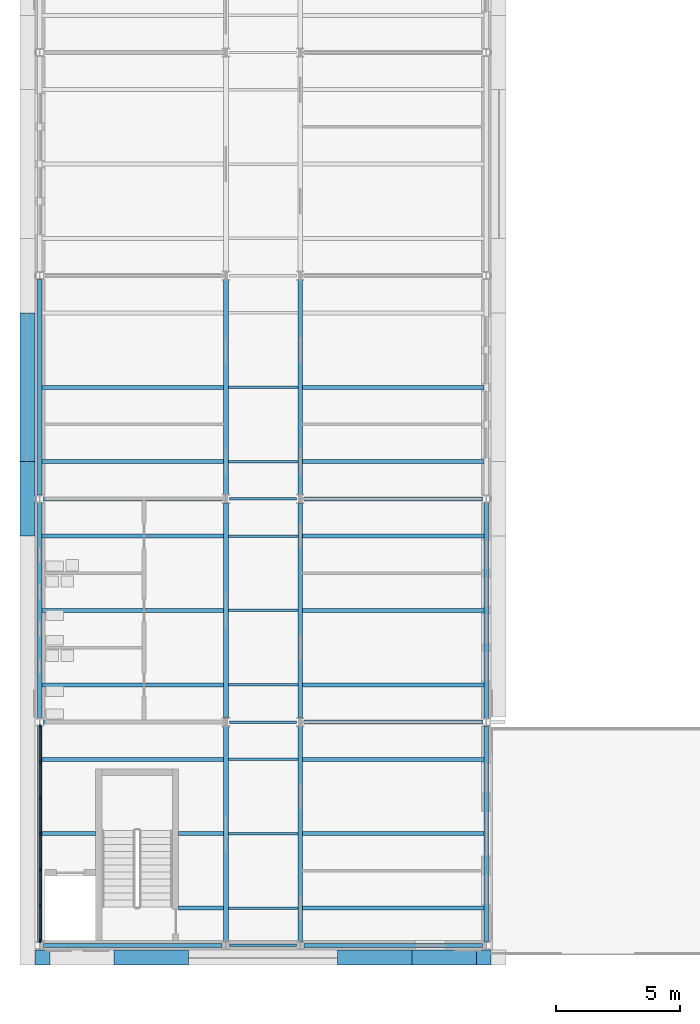
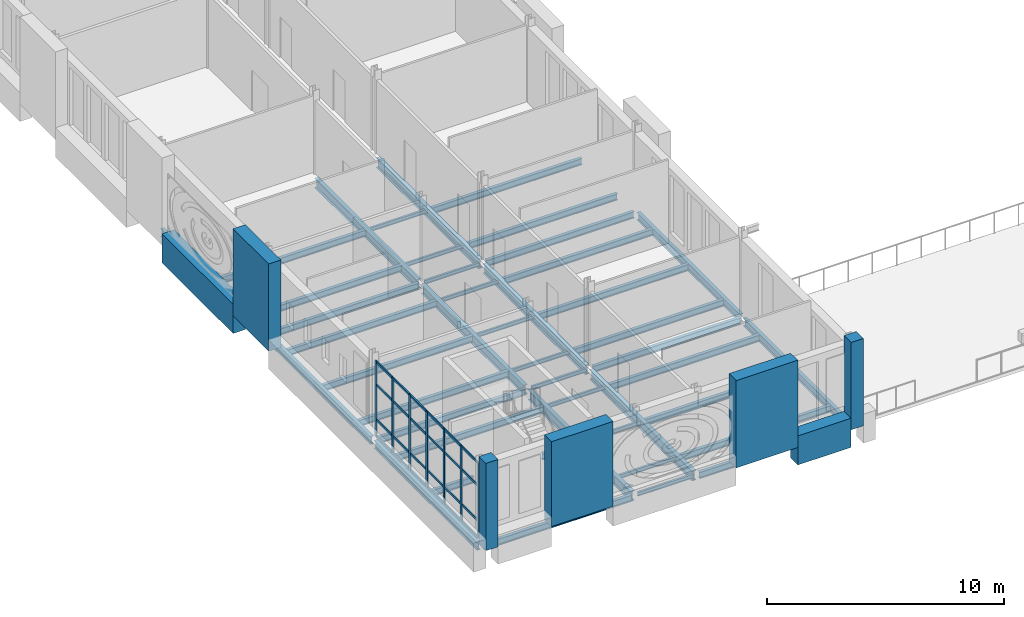
# One storey, part 20 of 134: 47 beams, 36 members, 1 element without a shape of its own.
"""IFC4 building model written with IfcOpenShell, lengths in metres."""

from ifc_helpers import new_model, si_unit, direction, frame, origin, origin_2d, place, context, subcontext, project, spatial, rectangle, i_section, extrude, material, layer, layer_set, material_profile, profile_set, type_object, element, aggregate, save


model = new_model("IFC4")

# Units and contexts
model_context = context("Model", 3, precision=1e-05, world=origin(), true_north=direction((0.0, 1.0)))
body_context = subcontext(model_context, "Body", "Model", "MODEL_VIEW")
ifc_project = project(units=[si_unit("LENGTHUNIT", "METRE"), si_unit("AREAUNIT", "SQUARE_METRE"), si_unit("VOLUMEUNIT", "CUBIC_METRE"), si_unit("PLANEANGLEUNIT", "RADIAN"), si_unit("MASSUNIT", "GRAM", prefix="KILO")], contexts=[model_context])

# Site, building, storey
site_placement = place(None, origin())
site = spatial("IfcSite", under=ifc_project, at=site_placement, CompositionType="ELEMENT")
building_placement = place(site_placement, origin())
building = spatial("IfcBuilding", under=site, at=building_placement, Name="Golden Quay Civic Hall", CompositionType="ELEMENT")
storey_placement = place(building_placement, frame((0.0, 0.0, 5.39990234375)))
storey = spatial("IfcBuildingStorey", under=building, at=storey_placement, Name="L01", CompositionType="ELEMENT", Elevation=5.39990234375)

# Curtain wall, members
ifc_material_1 = material(Name="Glass, laminated double glazed", Category="glass")
ifc_layer = layer(ifc_material_1, 0.199951171875)
ifc_layer_set = layer_set([ifc_layer], Name="Glazed core strip curtain wall")
curtain_wall_type = type_object("IfcCurtainWallType", Name="Glazed core strip curtain wall", PredefinedType="NOTDEFINED", material=ifc_layer_set)
curtain_wall_placement = place(storey_placement, origin())
curtain_wall = element("IfcCurtainWall", 1, at=curtain_wall_placement, inside=storey, type_object=curtain_wall_type, Name="Glazed core strip curtain wall L01 1", PredefinedType="NOTDEFINED")
ifc_material_2 = material(Name="Aluminium, anodised", Category="aluminium")
ifc_material_profile_1 = material_profile(ifc_material_2, rectangle(XDim=0.06005859375, YDim=0.159912109375, at=origin_2d()), Name="Aluminium 60 x 160")
ifc_profile_set_1 = profile_set([ifc_material_profile_1], Name="Aluminium, anodised")
member_type_1 = type_object("IfcMemberType", Name="Aluminium mullion 60 x 160", PredefinedType="MULLION", material=ifc_profile_set_1)
member_1_placement = place(storey_placement, frame((0.0, -8.820068359375, 0.0), z_axis=(0.0, 0.0, 1.0), x_axis=(-1.0, 0.0, 0.0)))
member_1 = element("IfcMember", 2, at=member_1_placement, type_object=member_type_1, Name="CW2 mullion 1", PredefinedType="MULLION", context=body_context, shape_type="SweptSolid", body=[
    extrude(rectangle(XDim=0.06005859375, YDim=0.159912109375, at=origin_2d()), origin(), (0.0, 0.0, 1.0), 3.900146484375),
])
member_2_placement = place(storey_placement, frame((0.0, -7.39990234375, 0.0), z_axis=(0.0, 0.0, 1.0), x_axis=(-1.0, 0.0, 0.0)))
member_2 = element("IfcMember", 3, at=member_2_placement, type_object=member_type_1, Name="CW2 mullion 2", PredefinedType="MULLION", context=body_context, shape_type="SweptSolid", body=[
    extrude(rectangle(XDim=0.06005859375, YDim=0.159912109375, at=origin_2d()), origin(), (0.0, 0.0, 1.0), 3.900146484375),
])
member_3_placement = place(storey_placement, frame((0.0, -5.949951171875, 0.0), z_axis=(0.0, 0.0, 1.0), x_axis=(-1.0, 0.0, 0.0)))
member_3 = element("IfcMember", 4, at=member_3_placement, type_object=member_type_1, Name="CW2 mullion 3", PredefinedType="MULLION", context=body_context, shape_type="SweptSolid", body=[
    extrude(rectangle(XDim=0.06005859375, YDim=0.159912109375, at=origin_2d()), origin(), (0.0, 0.0, 1.0), 3.900146484375),
])
member_4_placement = place(storey_placement, frame((0.0, -4.5, 0.0), z_axis=(0.0, 0.0, 1.0), x_axis=(-1.0, 0.0, 0.0)))
member_4 = element("IfcMember", 5, at=member_4_placement, type_object=member_type_1, Name="CW2 mullion 4", PredefinedType="MULLION", context=body_context, shape_type="SweptSolid", body=[
    extrude(rectangle(XDim=0.06005859375, YDim=0.159912109375, at=origin_2d()), origin(), (0.0, 0.0, 1.0), 3.900146484375),
])
member_5_placement = place(storey_placement, frame((0.0, -3.050048828125, 0.0), z_axis=(0.0, 0.0, 1.0), x_axis=(-1.0, 0.0, 0.0)))
member_5 = element("IfcMember", 6, at=member_5_placement, type_object=member_type_1, Name="CW2 mullion 5", PredefinedType="MULLION", context=body_context, shape_type="SweptSolid", body=[
    extrude(rectangle(XDim=0.06005859375, YDim=0.159912109375, at=origin_2d()), origin(), (0.0, 0.0, 1.0), 3.900146484375),
])
member_6_placement = place(storey_placement, frame((0.0, -1.60009765625, 0.0), z_axis=(0.0, 0.0, 1.0), x_axis=(-1.0, 0.0, 0.0)))
member_6 = element("IfcMember", 7, at=member_6_placement, type_object=member_type_1, Name="CW2 mullion 6", PredefinedType="MULLION", context=body_context, shape_type="SweptSolid", body=[
    extrude(rectangle(XDim=0.06005859375, YDim=0.159912109375, at=origin_2d()), origin(), (0.0, 0.0, 1.0), 3.900146484375),
])
member_7_placement = place(storey_placement, frame((0.0, -0.179931640625, 0.0), z_axis=(0.0, 0.0, 1.0), x_axis=(-1.0, 0.0, 0.0)))
member_7 = element("IfcMember", 8, at=member_7_placement, type_object=member_type_1, Name="CW2 mullion 7", PredefinedType="MULLION", context=body_context, shape_type="SweptSolid", body=[
    extrude(rectangle(XDim=0.06005859375, YDim=0.159912109375, at=origin_2d()), origin(), (0.0, 0.0, 1.0), 3.900146484375),
])
ifc_material_3 = material(Name="Aluminium, anodised", Category="aluminium")
ifc_material_profile_2 = material_profile(ifc_material_3, rectangle(XDim=0.06005859375, YDim=0.1201171875, at=origin_2d()), Name="Aluminium 60 x 120")
ifc_profile_set_2 = profile_set([ifc_material_profile_2], Name="Aluminium, anodised")
member_type_2 = type_object("IfcMemberType", Name="Aluminium transom 60 x 120", PredefinedType="USERDEFINED", material=ifc_profile_set_2)
member_8_placement = place(storey_placement, frame((0.0, -8.7900390625, 0.030029296875), z_axis=(0.0, 1.0, 0.0), x_axis=(-1.0, 0.0, 0.0)))
member_8 = element("IfcMember", 9, at=member_8_placement, type_object=member_type_2, Name="CW2 transom 1.1", ObjectType="TRANSOM", PredefinedType="USERDEFINED", context=body_context, shape_type="SweptSolid", body=[
    extrude(rectangle(XDim=0.06005859375, YDim=0.1201171875, at=origin_2d()), origin(), (0.0, 0.0, 1.0), 1.360107421875),
])
member_9_placement = place(storey_placement, frame((0.0, -8.7900390625, 0.900146484375), z_axis=(0.0, 1.0, 0.0), x_axis=(-1.0, 0.0, 0.0)))
member_9 = element("IfcMember", 10, at=member_9_placement, type_object=member_type_2, Name="CW2 transom 1.2", ObjectType="TRANSOM", PredefinedType="USERDEFINED", context=body_context, shape_type="SweptSolid", body=[
    extrude(rectangle(XDim=0.06005859375, YDim=0.1201171875, at=origin_2d()), origin(), (0.0, 0.0, 1.0), 1.360107421875),
])
member_10_placement = place(storey_placement, frame((0.0, -8.7900390625, 2.7001953125), z_axis=(0.0, 1.0, 0.0), x_axis=(-1.0, 0.0, 0.0)))
member_10 = element("IfcMember", 11, at=member_10_placement, type_object=member_type_2, Name="CW2 transom 1.3", ObjectType="TRANSOM", PredefinedType="USERDEFINED", context=body_context, shape_type="SweptSolid", body=[
    extrude(rectangle(XDim=0.06005859375, YDim=0.1201171875, at=origin_2d()), origin(), (0.0, 0.0, 1.0), 1.360107421875),
])
member_11_placement = place(storey_placement, frame((0.0, -8.7900390625, 3.8701171875), z_axis=(0.0, 1.0, 0.0), x_axis=(-1.0, 0.0, 0.0)))
member_11 = element("IfcMember", 12, at=member_11_placement, type_object=member_type_2, Name="CW2 transom 1.4", ObjectType="TRANSOM", PredefinedType="USERDEFINED", context=body_context, shape_type="SweptSolid", body=[
    extrude(rectangle(XDim=0.06005859375, YDim=0.1201171875, at=origin_2d()), origin(), (0.0, 0.0, 1.0), 1.360107421875),
])
member_12_placement = place(storey_placement, frame((0.0, -7.3701171875, 0.030029296875), z_axis=(0.0, 1.0, 0.0), x_axis=(-1.0, 0.0, 0.0)))
member_12 = element("IfcMember", 13, at=member_12_placement, type_object=member_type_2, Name="CW2 transom 2.1", ObjectType="TRANSOM", PredefinedType="USERDEFINED", context=body_context, shape_type="SweptSolid", body=[
    extrude(rectangle(XDim=0.06005859375, YDim=0.1201171875, at=origin_2d()), origin(), (0.0, 0.0, 1.0), 1.39013671875),
])
member_13_placement = place(storey_placement, frame((0.0, -7.3701171875, 0.900146484375), z_axis=(0.0, 1.0, 0.0), x_axis=(-1.0, 0.0, 0.0)))
member_13 = element("IfcMember", 14, at=member_13_placement, type_object=member_type_2, Name="CW2 transom 2.2", ObjectType="TRANSOM", PredefinedType="USERDEFINED", context=body_context, shape_type="SweptSolid", body=[
    extrude(rectangle(XDim=0.06005859375, YDim=0.1201171875, at=origin_2d()), origin(), (0.0, 0.0, 1.0), 1.39013671875),
])
member_14_placement = place(storey_placement, frame((0.0, -7.3701171875, 2.7001953125), z_axis=(0.0, 1.0, 0.0), x_axis=(-1.0, 0.0, 0.0)))
member_14 = element("IfcMember", 15, at=member_14_placement, type_object=member_type_2, Name="CW2 transom 2.3", ObjectType="TRANSOM", PredefinedType="USERDEFINED", context=body_context, shape_type="SweptSolid", body=[
    extrude(rectangle(XDim=0.06005859375, YDim=0.1201171875, at=origin_2d()), origin(), (0.0, 0.0, 1.0), 1.39013671875),
])
member_15_placement = place(storey_placement, frame((0.0, -7.3701171875, 3.8701171875), z_axis=(0.0, 1.0, 0.0), x_axis=(-1.0, 0.0, 0.0)))
member_15 = element("IfcMember", 16, at=member_15_placement, type_object=member_type_2, Name="CW2 transom 2.4", ObjectType="TRANSOM", PredefinedType="USERDEFINED", context=body_context, shape_type="SweptSolid", body=[
    extrude(rectangle(XDim=0.06005859375, YDim=0.1201171875, at=origin_2d()), origin(), (0.0, 0.0, 1.0), 1.39013671875),
])
member_16_placement = place(storey_placement, frame((0.0, -5.919921875, 0.030029296875), z_axis=(0.0, 1.0, 0.0), x_axis=(-1.0, 0.0, 0.0)))
member_16 = element("IfcMember", 17, at=member_16_placement, type_object=member_type_2, Name="CW2 transom 3.1", ObjectType="TRANSOM", PredefinedType="USERDEFINED", context=body_context, shape_type="SweptSolid", body=[
    extrude(rectangle(XDim=0.06005859375, YDim=0.1201171875, at=origin_2d()), origin(), (0.0, 0.0, 1.0), 1.389892578125),
])
member_17_placement = place(storey_placement, frame((0.0, -5.919921875, 0.900146484375), z_axis=(0.0, 1.0, 0.0), x_axis=(-1.0, 0.0, 0.0)))
member_17 = element("IfcMember", 18, at=member_17_placement, type_object=member_type_2, Name="CW2 transom 3.2", ObjectType="TRANSOM", PredefinedType="USERDEFINED", context=body_context, shape_type="SweptSolid", body=[
    extrude(rectangle(XDim=0.06005859375, YDim=0.1201171875, at=origin_2d()), origin(), (0.0, 0.0, 1.0), 1.389892578125),
])
member_18_placement = place(storey_placement, frame((0.0, -5.919921875, 2.7001953125), z_axis=(0.0, 1.0, 0.0), x_axis=(-1.0, 0.0, 0.0)))
member_18 = element("IfcMember", 19, at=member_18_placement, type_object=member_type_2, Name="CW2 transom 3.3", ObjectType="TRANSOM", PredefinedType="USERDEFINED", context=body_context, shape_type="SweptSolid", body=[
    extrude(rectangle(XDim=0.06005859375, YDim=0.1201171875, at=origin_2d()), origin(), (0.0, 0.0, 1.0), 1.389892578125),
])
member_19_placement = place(storey_placement, frame((0.0, -5.919921875, 3.8701171875), z_axis=(0.0, 1.0, 0.0), x_axis=(-1.0, 0.0, 0.0)))
member_19 = element("IfcMember", 20, at=member_19_placement, type_object=member_type_2, Name="CW2 transom 3.4", ObjectType="TRANSOM", PredefinedType="USERDEFINED", context=body_context, shape_type="SweptSolid", body=[
    extrude(rectangle(XDim=0.06005859375, YDim=0.1201171875, at=origin_2d()), origin(), (0.0, 0.0, 1.0), 1.389892578125),
])
member_20_placement = place(storey_placement, frame((0.0, -4.469970703125, 0.030029296875), z_axis=(0.0, 1.0, 0.0), x_axis=(-1.0, 0.0, 0.0)))
member_20 = element("IfcMember", 21, at=member_20_placement, type_object=member_type_2, Name="CW2 transom 4.1", ObjectType="TRANSOM", PredefinedType="USERDEFINED", context=body_context, shape_type="SweptSolid", body=[
    extrude(rectangle(XDim=0.06005859375, YDim=0.1201171875, at=origin_2d()), origin(), (0.0, 0.0, 1.0), 1.389892578125),
])
member_21_placement = place(storey_placement, frame((0.0, -4.469970703125, 0.900146484375), z_axis=(0.0, 1.0, 0.0), x_axis=(-1.0, 0.0, 0.0)))
member_21 = element("IfcMember", 22, at=member_21_placement, type_object=member_type_2, Name="CW2 transom 4.2", ObjectType="TRANSOM", PredefinedType="USERDEFINED", context=body_context, shape_type="SweptSolid", body=[
    extrude(rectangle(XDim=0.06005859375, YDim=0.1201171875, at=origin_2d()), origin(), (0.0, 0.0, 1.0), 1.389892578125),
])
member_22_placement = place(storey_placement, frame((0.0, -4.469970703125, 2.7001953125), z_axis=(0.0, 1.0, 0.0), x_axis=(-1.0, 0.0, 0.0)))
member_22 = element("IfcMember", 23, at=member_22_placement, type_object=member_type_2, Name="CW2 transom 4.3", ObjectType="TRANSOM", PredefinedType="USERDEFINED", context=body_context, shape_type="SweptSolid", body=[
    extrude(rectangle(XDim=0.06005859375, YDim=0.1201171875, at=origin_2d()), origin(), (0.0, 0.0, 1.0), 1.389892578125),
])
member_23_placement = place(storey_placement, frame((0.0, -4.469970703125, 3.8701171875), z_axis=(0.0, 1.0, 0.0), x_axis=(-1.0, 0.0, 0.0)))
member_23 = element("IfcMember", 24, at=member_23_placement, type_object=member_type_2, Name="CW2 transom 4.4", ObjectType="TRANSOM", PredefinedType="USERDEFINED", context=body_context, shape_type="SweptSolid", body=[
    extrude(rectangle(XDim=0.06005859375, YDim=0.1201171875, at=origin_2d()), origin(), (0.0, 0.0, 1.0), 1.389892578125),
])
member_24_placement = place(storey_placement, frame((0.0, -3.02001953125, 0.030029296875), z_axis=(0.0, 1.0, 0.0), x_axis=(-1.0, 0.0, 0.0)))
member_24 = element("IfcMember", 25, at=member_24_placement, type_object=member_type_2, Name="CW2 transom 5.1", ObjectType="TRANSOM", PredefinedType="USERDEFINED", context=body_context, shape_type="SweptSolid", body=[
    extrude(rectangle(XDim=0.06005859375, YDim=0.1201171875, at=origin_2d()), origin(), (0.0, 0.0, 1.0), 1.39013671875),
])
member_25_placement = place(storey_placement, frame((0.0, -3.02001953125, 0.900146484375), z_axis=(0.0, 1.0, 0.0), x_axis=(-1.0, 0.0, 0.0)))
member_25 = element("IfcMember", 26, at=member_25_placement, type_object=member_type_2, Name="CW2 transom 5.2", ObjectType="TRANSOM", PredefinedType="USERDEFINED", context=body_context, shape_type="SweptSolid", body=[
    extrude(rectangle(XDim=0.06005859375, YDim=0.1201171875, at=origin_2d()), origin(), (0.0, 0.0, 1.0), 1.39013671875),
])
member_26_placement = place(storey_placement, frame((0.0, -3.02001953125, 2.7001953125), z_axis=(0.0, 1.0, 0.0), x_axis=(-1.0, 0.0, 0.0)))
member_26 = element("IfcMember", 27, at=member_26_placement, type_object=member_type_2, Name="CW2 transom 5.3", ObjectType="TRANSOM", PredefinedType="USERDEFINED", context=body_context, shape_type="SweptSolid", body=[
    extrude(rectangle(XDim=0.06005859375, YDim=0.1201171875, at=origin_2d()), origin(), (0.0, 0.0, 1.0), 1.39013671875),
])
member_27_placement = place(storey_placement, frame((0.0, -3.02001953125, 3.8701171875), z_axis=(0.0, 1.0, 0.0), x_axis=(-1.0, 0.0, 0.0)))
member_27 = element("IfcMember", 28, at=member_27_placement, type_object=member_type_2, Name="CW2 transom 5.4", ObjectType="TRANSOM", PredefinedType="USERDEFINED", context=body_context, shape_type="SweptSolid", body=[
    extrude(rectangle(XDim=0.06005859375, YDim=0.1201171875, at=origin_2d()), origin(), (0.0, 0.0, 1.0), 1.39013671875),
])
member_28_placement = place(storey_placement, frame((0.0, -1.570068359375, 0.030029296875), z_axis=(0.0, 1.0, 0.0), x_axis=(-1.0, 0.0, 0.0)))
member_28 = element("IfcMember", 29, at=member_28_placement, type_object=member_type_2, Name="CW2 transom 6.1", ObjectType="TRANSOM", PredefinedType="USERDEFINED", context=body_context, shape_type="SweptSolid", body=[
    extrude(rectangle(XDim=0.06005859375, YDim=0.1201171875, at=origin_2d()), origin(), (0.0, 0.0, 1.0), 1.360107421875),
])
member_29_placement = place(storey_placement, frame((0.0, -1.570068359375, 0.900146484375), z_axis=(0.0, 1.0, 0.0), x_axis=(-1.0, 0.0, 0.0)))
member_29 = element("IfcMember", 30, at=member_29_placement, type_object=member_type_2, Name="CW2 transom 6.2", ObjectType="TRANSOM", PredefinedType="USERDEFINED", context=body_context, shape_type="SweptSolid", body=[
    extrude(rectangle(XDim=0.06005859375, YDim=0.1201171875, at=origin_2d()), origin(), (0.0, 0.0, 1.0), 1.360107421875),
])
member_30_placement = place(storey_placement, frame((0.0, -1.570068359375, 2.7001953125), z_axis=(0.0, 1.0, 0.0), x_axis=(-1.0, 0.0, 0.0)))
member_30 = element("IfcMember", 31, at=member_30_placement, type_object=member_type_2, Name="CW2 transom 6.3", ObjectType="TRANSOM", PredefinedType="USERDEFINED", context=body_context, shape_type="SweptSolid", body=[
    extrude(rectangle(XDim=0.06005859375, YDim=0.1201171875, at=origin_2d()), origin(), (0.0, 0.0, 1.0), 1.360107421875),
])
member_31_placement = place(storey_placement, frame((0.0, -1.570068359375, 3.8701171875), z_axis=(0.0, 1.0, 0.0), x_axis=(-1.0, 0.0, 0.0)))
member_31 = element("IfcMember", 32, at=member_31_placement, type_object=member_type_2, Name="CW2 transom 6.4", ObjectType="TRANSOM", PredefinedType="USERDEFINED", context=body_context, shape_type="SweptSolid", body=[
    extrude(rectangle(XDim=0.06005859375, YDim=0.1201171875, at=origin_2d()), origin(), (0.0, 0.0, 1.0), 1.360107421875),
])
aggregate(curtain_wall, [member_1, member_2, member_3, member_4, member_5, member_6, member_7, member_8, member_9, member_10, member_11, member_12, member_13, member_14, member_15, member_16, member_17, member_18, member_19, member_20, member_21, member_22, member_23, member_24, member_25, member_26, member_27, member_28, member_29, member_30, member_31])

# Members
ifc_material_4 = material(Name="Concrete C40/50", Category="concrete")
ifc_material_profile_3 = material_profile(ifc_material_4, rectangle(XDim=3.0, YDim=0.60009765625, at=origin_2d()), Name="RC 3000x600")
ifc_profile_set_3 = profile_set([ifc_material_profile_3], Name="Concrete C40/50")
member_type_3 = type_object("IfcMemberType", Name="Precast concrete facade pier 3000 x 600", PredefinedType="POST", material=ifc_profile_set_3)
member_32_placement = place(storey_placement, frame((-0.5, 9.0, 0.0), z_axis=(0.0, 0.0, 1.0), x_axis=(0.0, 1.0, 0.0)))
element("IfcMember", 33, at=member_32_placement, inside=storey, type_object=member_type_3, Name="Precast concrete facade pier 3000 x 600 L01 1", PredefinedType="POST", context=body_context, shape_type="SweptSolid", body=[
    extrude(rectangle(XDim=3.0, YDim=0.60009765625, at=origin_2d()), origin(), (0.0, 0.0, 1.0), 4.5),
])
member_33_placement = place(storey_placement, frame((4.5, -9.5, 0.130126953125), z_axis=(0.0, 0.0, 1.0), x_axis=(1.0, 0.0, 0.0)))
element("IfcMember", 34, at=member_33_placement, inside=storey, type_object=member_type_3, Name="Precast concrete facade pier 3000 x 600 L01 16", PredefinedType="POST", context=body_context, shape_type="SweptSolid", body=[
    extrude(rectangle(XDim=3.0, YDim=0.60009765625, at=origin_2d()), origin(), (0.0, 0.0, 1.0), 4.369873046875),
])
member_34_placement = place(storey_placement, frame((13.5, -9.5, 0.0), z_axis=(0.0, 0.0, 1.0), x_axis=(1.0, 0.0, 0.0)))
element("IfcMember", 35, at=member_34_placement, inside=storey, type_object=member_type_3, Name="Precast concrete facade pier 3000 x 600 L01 17", PredefinedType="POST", context=body_context, shape_type="SweptSolid", body=[
    extrude(rectangle(XDim=3.0, YDim=0.60009765625, at=origin_2d()), origin(), (0.0, 0.0, 1.0), 4.5),
])
ifc_material_5 = material(Name="Concrete C40/50", Category="concrete")
ifc_material_profile_4 = material_profile(ifc_material_5, rectangle(XDim=0.60009765625, YDim=0.60009765625, at=origin_2d()), Name="RC 600x600")
ifc_profile_set_4 = profile_set([ifc_material_profile_4], Name="Concrete C40/50")
member_type_4 = type_object("IfcMemberType", Name="Precast concrete facade post 600 x 600", PredefinedType="POST", material=ifc_profile_set_4)
for number, where, z_axis, x_axis, name in (
    (36, (0.10009765625, -9.5, 0.0), (0.0, 0.0, 1.0), (1.0, 0.0, 0.0), "Precast concrete facade post 600 x 600 L01 4"),
    (37, (17.89990234375, -9.5, 0.0), (0.0, 0.0, 1.0), (1.0, 0.0, 0.0), "Precast concrete facade post 600 x 600 L01 5"),
):
    element("IfcMember", number, at=place(storey_placement, frame(where, z_axis=z_axis, x_axis=x_axis)), inside=storey, type_object=member_type_4, Name=name, PredefinedType="POST", context=body_context, shape_type="SweptSolid", body=[
        extrude(rectangle(XDim=0.60009765625, YDim=0.60009765625, at=origin_2d()), origin(), (0.0, 0.0, 1.0), 4.5),
    ])

# Beams
ifc_material_6 = material(Name="Concrete C40/50", Category="concrete")
ifc_material_profile_5 = material_profile(ifc_material_6, rectangle(XDim=0.60009765625, YDim=1.5, at=origin_2d()), Name="RC 600x1500")
ifc_profile_set_5 = profile_set([ifc_material_profile_5], Name="Concrete C40/50")
beam_type_1 = type_object("IfcBeamType", Name="Precast concrete spandrel beam 600 x 1500", PredefinedType="SPANDREL", material=ifc_profile_set_5)
beam_1_placement = place(storey_placement, frame((-0.5, 10.5, -0.14990234375), z_axis=(0.0, 1.0, 0.0), x_axis=(-1.0, 0.0, 0.0)))
element("IfcBeam", 38, at=beam_1_placement, inside=storey, type_object=beam_type_1, Name="Precast concrete spandrel beam 600 x 1500 L01 11", PredefinedType="SPANDREL", context=body_context, shape_type="SweptSolid", body=[
    extrude(rectangle(XDim=0.60009765625, YDim=1.5, at=origin_2d()), origin(), (0.0, 0.0, 1.0), 6.0),
])
beam_2_placement = place(storey_placement, frame((15.0, -9.5, -0.14990234375), z_axis=(1.0, 0.0, 0.0), x_axis=(0.0, 1.0, 0.0)))
element("IfcBeam", 39, at=beam_2_placement, inside=storey, type_object=beam_type_1, Name="Precast concrete spandrel beam 600 x 1500 L01 12", PredefinedType="SPANDREL", context=body_context, shape_type="SweptSolid", body=[
    extrude(rectangle(XDim=0.60009765625, YDim=1.5, at=origin_2d()), origin(), (0.0, 0.0, 1.0), 2.60009765625),
])
ifc_material_7 = material(Name="Steel S355", Category="steel")
ifc_material_profile_6 = material_profile(ifc_material_7, i_section(OverallWidth=0.10009765625, OverallDepth=0.199951171875, WebThickness=0.005615234375, FlangeThickness=0.008544921875, FilletRadius=0.011962890625, at=origin_2d()), Name="IPE 200")
ifc_profile_set_6 = profile_set([ifc_material_profile_6], Name="Steel S355")
beam_type_2 = type_object("IfcBeamType", Name="Steel beam IPE 200", PredefinedType="BEAM", material=ifc_profile_set_6)
for number, where, z_axis, x_axis, name in (
    (40, (7.64990234375, -9.0, -0.2998046875), (1.0, 0.0, 0.0), (0.0, 1.0, 0.0), "Beam S-9-7.5"),
    (41, (7.64990234375, 0.0, -0.2998046875), (1.0, 0.0, 0.0), (0.0, 1.0, 0.0), "Beam S0-7.5"),
    (42, (7.64990234375, 9.0, -0.2998046875), (1.0, 0.0, 0.0), (0.0, 1.0, 0.0), "Beam S9-7.5"),
):
    element("IfcBeam", number, at=place(storey_placement, frame(where, z_axis=z_axis, x_axis=x_axis)), inside=storey, type_object=beam_type_2, Name=name, PredefinedType="BEAM", context=body_context, shape_type="SweptSolid", body=[
        extrude(i_section(OverallWidth=0.10009765625, OverallDepth=0.199951171875, WebThickness=0.005615234375, FlangeThickness=0.008544921875, FilletRadius=0.011962890625, at=origin_2d()), origin(), (0.0, 0.0, 1.0), 2.7001953125),
    ])
ifc_material_8 = material(Name="Steel S355", Category="steel")
ifc_material_profile_7 = material_profile(ifc_material_8, i_section(OverallWidth=0.159912109375, OverallDepth=0.330078125, WebThickness=0.007568359375, FlangeThickness=0.011474609375, FilletRadius=0.01806640625, at=origin_2d()), Name="IPE 330")
ifc_profile_set_7 = profile_set([ifc_material_profile_7], Name="Steel S355")
beam_type_3 = type_object("IfcBeamType", Name="Steel beam IPE 330", PredefinedType="BEAM", material=ifc_profile_set_7)
for number, where, z_axis, x_axis, name in (
    (43, (0.14990234375, -9.0, -0.364990234375), (1.0, 0.0, 0.0), (0.0, 1.0, 0.0), "Beam S-9-0"),
    (44, (10.64990234375, -9.0, -0.364990234375), (1.0, 0.0, 0.0), (0.0, 1.0, 0.0), "Beam S-9-10.5"),
    (45, (0.14990234375, 0.0, -0.364990234375), (1.0, 0.0, 0.0), (0.0, 1.0, 0.0), "Beam S0-0"),
    (46, (10.64990234375, 0.0, -0.364990234375), (1.0, 0.0, 0.0), (0.0, 1.0, 0.0), "Beam S0-10.5"),
    (47, (0.14990234375, 9.0, -0.364990234375), (1.0, 0.0, 0.0), (0.0, 1.0, 0.0), "Beam S9-0"),
    (48, (10.64990234375, 9.0, -0.364990234375), (1.0, 0.0, 0.0), (0.0, 1.0, 0.0), "Beam S9-10.5"),
):
    element("IfcBeam", number, at=place(storey_placement, frame(where, z_axis=z_axis, x_axis=x_axis)), inside=storey, type_object=beam_type_3, Name=name, PredefinedType="BEAM", context=body_context, shape_type="SweptSolid", body=[
        extrude(i_section(OverallWidth=0.159912109375, OverallDepth=0.330078125, WebThickness=0.007568359375, FlangeThickness=0.011474609375, FilletRadius=0.01806640625, at=origin_2d()), origin(), (0.0, 0.0, 1.0), 7.2001953125),
    ])
ifc_material_9 = material(Name="Steel S355", Category="steel")
ifc_material_profile_8 = material_profile(ifc_material_9, i_section(OverallWidth=0.179931640625, OverallDepth=0.39990234375, WebThickness=0.008544921875, FlangeThickness=0.013427734375, FilletRadius=0.02099609375, at=origin_2d()), Name="IPE 400")
ifc_profile_set_8 = profile_set([ifc_material_profile_8], Name="Steel S355")
beam_type_4 = type_object("IfcBeamType", Name="Steel beam IPE 400", PredefinedType="BEAM", material=ifc_profile_set_8)
for number, where, z_axis, x_axis, name in (
    (49, (0.0, -8.85009765625, -0.39990234375), (0.0, 1.0, 0.0), (-1.0, 0.0, 0.0), "Beam L0--9"),
    (50, (0.0, 0.14990234375, -0.39990234375), (0.0, 1.0, 0.0), (-1.0, 0.0, 0.0), "Beam L0-0"),
    (51, (0.0, 9.14990234375, -0.39990234375), (0.0, 1.0, 0.0), (-1.0, 0.0, 0.0), "Beam L0-9"),
    (52, (18.0, -8.85009765625, -0.39990234375), (0.0, 1.0, 0.0), (-1.0, 0.0, 0.0), "Beam L18--9"),
    (53, (18.0, 0.14990234375, -0.39990234375), (0.0, 1.0, 0.0), (-1.0, 0.0, 0.0), "Beam L18-0"),
):
    element("IfcBeam", number, at=place(storey_placement, frame(where, z_axis=z_axis, x_axis=x_axis)), inside=storey, type_object=beam_type_4, Name=name, PredefinedType="BEAM", context=body_context, shape_type="SweptSolid", body=[
        extrude(i_section(OverallWidth=0.179931640625, OverallDepth=0.39990234375, WebThickness=0.008544921875, FlangeThickness=0.013427734375, FilletRadius=0.02099609375, at=origin_2d()), origin(), (0.0, 0.0, 1.0), 8.7001953125),
    ])
ifc_material_10 = material(Name="Steel S355", Category="steel")
ifc_material_profile_9 = material_profile(ifc_material_10, i_section(OverallWidth=0.199951171875, OverallDepth=0.5, WebThickness=0.01025390625, FlangeThickness=0.01611328125, FilletRadius=0.02099609375, at=origin_2d()), Name="IPE 500")
ifc_profile_set_9 = profile_set([ifc_material_profile_9], Name="Steel S355")
beam_type_5 = type_object("IfcBeamType", Name="Steel beam IPE 500", PredefinedType="BEAM", material=ifc_profile_set_9)
beam_3_placement = place(storey_placement, frame((7.5, -8.85009765625, -0.449951171875), z_axis=(0.0, 1.0, 0.0), x_axis=(-1.0, 0.0, 0.0)))
element("IfcBeam", 54, at=beam_3_placement, inside=storey, type_object=beam_type_5, Name="Beam L7.5--9", PredefinedType="BEAM", context=body_context, shape_type="SweptSolid", body=[
    extrude(i_section(OverallWidth=0.199951171875, OverallDepth=0.5, WebThickness=0.01025390625, FlangeThickness=0.01611328125, FilletRadius=0.02099609375, at=origin_2d()), origin(), (0.0, 0.0, 1.0), 8.670166015625),
])
for number, where, z_axis, x_axis, name in (
    (55, (7.5, 0.179931640625, -0.449951171875), (0.0, 1.0, 0.0), (-1.0, 0.0, 0.0), "Beam L7.5-0"),
    (56, (7.5, 9.179931640625, -0.449951171875), (0.0, 1.0, 0.0), (-1.0, 0.0, 0.0), "Beam L7.5-9"),
):
    element("IfcBeam", number, at=place(storey_placement, frame(where, z_axis=z_axis, x_axis=x_axis)), inside=storey, type_object=beam_type_5, Name=name, PredefinedType="BEAM", context=body_context, shape_type="SweptSolid", body=[
        extrude(i_section(OverallWidth=0.199951171875, OverallDepth=0.5, WebThickness=0.01025390625, FlangeThickness=0.01611328125, FilletRadius=0.02099609375, at=origin_2d()), origin(), (0.0, 0.0, 1.0), 8.64013671875),
    ])
beam_4_placement = place(storey_placement, frame((10.5, -8.85009765625, -0.449951171875), z_axis=(0.0, 1.0, 0.0), x_axis=(-1.0, 0.0, 0.0)))
element("IfcBeam", 57, at=beam_4_placement, inside=storey, type_object=beam_type_5, Name="Beam L10.5--9", PredefinedType="BEAM", context=body_context, shape_type="SweptSolid", body=[
    extrude(i_section(OverallWidth=0.199951171875, OverallDepth=0.5, WebThickness=0.01025390625, FlangeThickness=0.01611328125, FilletRadius=0.02099609375, at=origin_2d()), origin(), (0.0, 0.0, 1.0), 8.670166015625),
])
for number, where, z_axis, x_axis, name in (
    (58, (10.5, 0.179931640625, -0.449951171875), (0.0, 1.0, 0.0), (-1.0, 0.0, 0.0), "Beam L10.5-0"),
    (59, (10.5, 9.179931640625, -0.449951171875), (0.0, 1.0, 0.0), (-1.0, 0.0, 0.0), "Beam L10.5-9"),
):
    element("IfcBeam", number, at=place(storey_placement, frame(where, z_axis=z_axis, x_axis=x_axis)), inside=storey, type_object=beam_type_5, Name=name, PredefinedType="BEAM", context=body_context, shape_type="SweptSolid", body=[
        extrude(i_section(OverallWidth=0.199951171875, OverallDepth=0.5, WebThickness=0.01025390625, FlangeThickness=0.01611328125, FilletRadius=0.02099609375, at=origin_2d()), origin(), (0.0, 0.0, 1.0), 8.64013671875),
    ])
ifc_material_11 = material(Name="Steel S355", Category="steel")
ifc_material_profile_10 = material_profile(ifc_material_11, i_section(OverallWidth=0.10009765625, OverallDepth=0.199951171875, WebThickness=0.005615234375, FlangeThickness=0.008544921875, FilletRadius=0.011962890625, at=origin_2d()), Name="IPE 200")
ifc_profile_set_10 = profile_set([ifc_material_profile_10], Name="Steel S355")
beam_type_6 = type_object("IfcBeamType", Name="Steel joist IPE 200", PredefinedType="JOIST", material=ifc_profile_set_10)
for number, where, z_axis, x_axis, name in (
    (60, (7.60009765625, -7.5, -0.2998046875), (1.0, 0.0, 0.0), (0.0, 1.0, 0.0), "Joist J-7.5-7.5"),
    (61, (7.60009765625, -4.5, -0.2998046875), (1.0, 0.0, 0.0), (0.0, 1.0, 0.0), "Joist J-4.5-7.5"),
    (62, (7.60009765625, -1.5, -0.2998046875), (1.0, 0.0, 0.0), (0.0, 1.0, 0.0), "Joist J-1.5-7.5"),
    (63, (7.60009765625, 1.5, -0.2998046875), (1.0, 0.0, 0.0), (0.0, 1.0, 0.0), "Joist J1.5-7.5"),
    (64, (7.60009765625, 4.5, -0.2998046875), (1.0, 0.0, 0.0), (0.0, 1.0, 0.0), "Joist J4.5-7.5"),
    (65, (7.60009765625, 7.5, -0.2998046875), (1.0, 0.0, 0.0), (0.0, 1.0, 0.0), "Joist J7.5-7.5"),
    (66, (7.60009765625, 10.5, -0.2998046875), (1.0, 0.0, 0.0), (0.0, 1.0, 0.0), "Joist J10.5-7.5"),
    (67, (7.60009765625, 13.5, -0.2998046875), (1.0, 0.0, 0.0), (0.0, 1.0, 0.0), "Joist J13.5-7.5"),
):
    element("IfcBeam", number, at=place(storey_placement, frame(where, z_axis=z_axis, x_axis=x_axis)), inside=storey, type_object=beam_type_6, Name=name, PredefinedType="JOIST", context=body_context, shape_type="SweptSolid", body=[
        extrude(i_section(OverallWidth=0.10009765625, OverallDepth=0.199951171875, WebThickness=0.005615234375, FlangeThickness=0.008544921875, FilletRadius=0.011962890625, at=origin_2d()), origin(), (0.0, 0.0, 1.0), 2.7998046875),
    ])
ifc_material_12 = material(Name="Steel S355", Category="steel")
ifc_material_profile_11 = material_profile(ifc_material_12, i_section(OverallWidth=0.159912109375, OverallDepth=0.330078125, WebThickness=0.007568359375, FlangeThickness=0.011474609375, FilletRadius=0.01806640625, at=origin_2d()), Name="IPE 330")
ifc_profile_set_11 = profile_set([ifc_material_profile_11], Name="Steel S355")
beam_type_7 = type_object("IfcBeamType", Name="Steel joist IPE 330", PredefinedType="JOIST", material=ifc_profile_set_11)
beam_5_placement = place(storey_placement, frame((5.60009765625, -7.5, -0.364990234375), z_axis=(1.0, 0.0, 0.0), x_axis=(0.0, 1.0, 0.0)))
element("IfcBeam", 68, at=beam_5_placement, inside=storey, type_object=beam_type_7, Name="Joist J-7.5-0-1", PredefinedType="JOIST", context=body_context, shape_type="SweptSolid", body=[
    extrude(i_section(OverallWidth=0.159912109375, OverallDepth=0.330078125, WebThickness=0.007568359375, FlangeThickness=0.011474609375, FilletRadius=0.01806640625, at=origin_2d()), origin(), (0.0, 0.0, 1.0), 1.7998046875),
])
beam_6_placement = place(storey_placement, frame((10.60009765625, -7.5, -0.364990234375), z_axis=(1.0, 0.0, 0.0), x_axis=(0.0, 1.0, 0.0)))
element("IfcBeam", 69, at=beam_6_placement, inside=storey, type_object=beam_type_7, Name="Joist J-7.5-10.5", PredefinedType="JOIST", context=body_context, shape_type="SweptSolid", body=[
    extrude(i_section(OverallWidth=0.159912109375, OverallDepth=0.330078125, WebThickness=0.007568359375, FlangeThickness=0.011474609375, FilletRadius=0.01806640625, at=origin_2d()), origin(), (0.0, 0.0, 1.0), 7.309814453125),
])
beam_7_placement = place(storey_placement, frame((0.090087890625, -4.5, -0.364990234375), z_axis=(1.0, 0.0, 0.0), x_axis=(0.0, 1.0, 0.0)))
element("IfcBeam", 70, at=beam_7_placement, inside=storey, type_object=beam_type_7, Name="Joist J-4.5-0-0", PredefinedType="JOIST", context=body_context, shape_type="SweptSolid", body=[
    extrude(i_section(OverallWidth=0.159912109375, OverallDepth=0.330078125, WebThickness=0.007568359375, FlangeThickness=0.011474609375, FilletRadius=0.01806640625, at=origin_2d()), origin(), (0.0, 0.0, 1.0), 2.159912109375),
])
beam_8_placement = place(storey_placement, frame((5.60009765625, -4.5, -0.364990234375), z_axis=(1.0, 0.0, 0.0), x_axis=(0.0, 1.0, 0.0)))
element("IfcBeam", 71, at=beam_8_placement, inside=storey, type_object=beam_type_7, Name="Joist J-4.5-0-1", PredefinedType="JOIST", context=body_context, shape_type="SweptSolid", body=[
    extrude(i_section(OverallWidth=0.159912109375, OverallDepth=0.330078125, WebThickness=0.007568359375, FlangeThickness=0.011474609375, FilletRadius=0.01806640625, at=origin_2d()), origin(), (0.0, 0.0, 1.0), 1.7998046875),
])
for number, where, z_axis, x_axis, name in (
    (72, (10.60009765625, -4.5, -0.364990234375), (1.0, 0.0, 0.0), (0.0, 1.0, 0.0), "Joist J-4.5-10.5"),
    (73, (0.090087890625, -1.5, -0.364990234375), (1.0, 0.0, 0.0), (0.0, 1.0, 0.0), "Joist J-1.5-0"),
    (74, (10.60009765625, -1.5, -0.364990234375), (1.0, 0.0, 0.0), (0.0, 1.0, 0.0), "Joist J-1.5-10.5"),
    (75, (0.090087890625, 1.5, -0.364990234375), (1.0, 0.0, 0.0), (0.0, 1.0, 0.0), "Joist J1.5-0"),
    (76, (10.60009765625, 1.5, -0.364990234375), (1.0, 0.0, 0.0), (0.0, 1.0, 0.0), "Joist J1.5-10.5"),
    (77, (0.090087890625, 4.5, -0.364990234375), (1.0, 0.0, 0.0), (0.0, 1.0, 0.0), "Joist J4.5-0"),
    (78, (10.60009765625, 4.5, -0.364990234375), (1.0, 0.0, 0.0), (0.0, 1.0, 0.0), "Joist J4.5-10.5"),
    (79, (0.090087890625, 7.5, -0.364990234375), (1.0, 0.0, 0.0), (0.0, 1.0, 0.0), "Joist J7.5-0"),
    (80, (10.60009765625, 7.5, -0.364990234375), (1.0, 0.0, 0.0), (0.0, 1.0, 0.0), "Joist J7.5-10.5"),
    (81, (0.090087890625, 10.5, -0.364990234375), (1.0, 0.0, 0.0), (0.0, 1.0, 0.0), "Joist J10.5-0"),
    (82, (10.60009765625, 10.5, -0.364990234375), (1.0, 0.0, 0.0), (0.0, 1.0, 0.0), "Joist J10.5-10.5"),
    (83, (0.090087890625, 13.5, -0.364990234375), (1.0, 0.0, 0.0), (0.0, 1.0, 0.0), "Joist J13.5-0"),
    (84, (10.60009765625, 13.5, -0.364990234375), (1.0, 0.0, 0.0), (0.0, 1.0, 0.0), "Joist J13.5-10.5"),
):
    element("IfcBeam", number, at=place(storey_placement, frame(where, z_axis=z_axis, x_axis=x_axis)), inside=storey, type_object=beam_type_7, Name=name, PredefinedType="JOIST", context=body_context, shape_type="SweptSolid", body=[
        extrude(i_section(OverallWidth=0.159912109375, OverallDepth=0.330078125, WebThickness=0.007568359375, FlangeThickness=0.011474609375, FilletRadius=0.01806640625, at=origin_2d()), origin(), (0.0, 0.0, 1.0), 7.309814453125),
    ])

save(model, "model.ifc")
